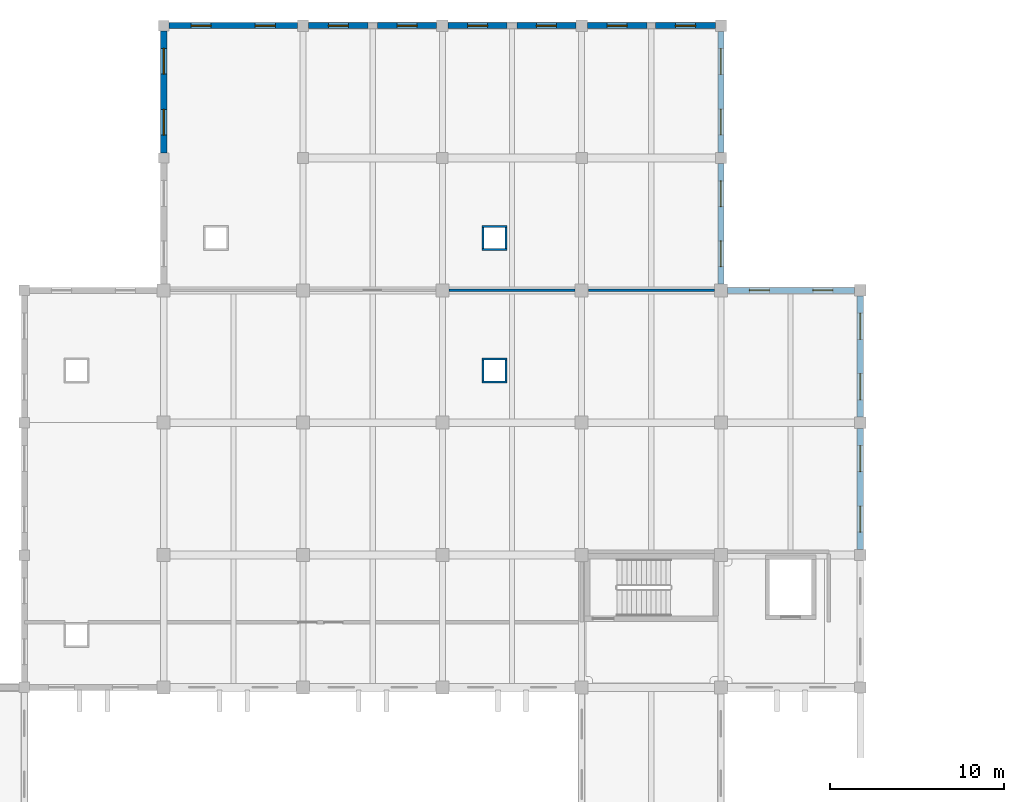
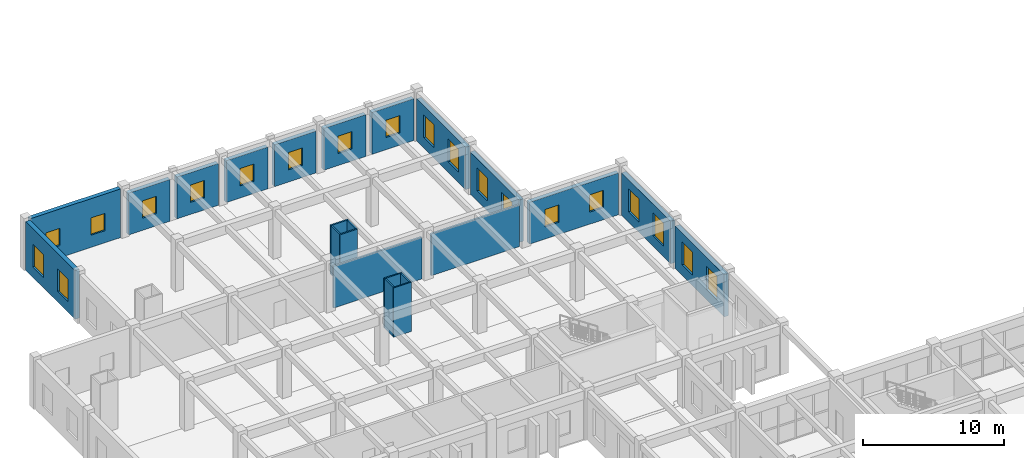
# One storey, part 59 of 79: 23 walls, 20 windows, 20 openings.
"""IFC4 building model written with IfcOpenShell, lengths in metres."""

from ifc_helpers import new_model, si_unit, direction, frame, frame_2d, origin, place, context, subcontext, project, spatial, rectangle, extrude, material, layer, layer_set, type_object, element, fill, save


model = new_model("IFC4")

# Units and contexts
model_context = context("Model", 3, precision=1e-05, world=origin(), true_north=direction((0.0, 1.0)))
body_context = subcontext(model_context, "Body", "Model", "MODEL_VIEW")
ifc_project = project(units=[si_unit("LENGTHUNIT", "METRE"), si_unit("AREAUNIT", "SQUARE_METRE"), si_unit("VOLUMEUNIT", "CUBIC_METRE"), si_unit("PLANEANGLEUNIT", "RADIAN"), si_unit("MASSUNIT", "GRAM", prefix="KILO")], contexts=[model_context])

# Site, building, storey
site_placement = place(None, origin())
site = spatial("IfcSite", under=ifc_project, at=site_placement, CompositionType="ELEMENT")
building_placement = place(site_placement, origin())
building = spatial("IfcBuilding", under=site, at=building_placement, Name="Zantavel Square City Hall", CompositionType="ELEMENT")
storey_placement = place(building_placement, frame((0.0, 0.0, 10.199951171875)))
storey = spatial("IfcBuildingStorey", under=building, at=storey_placement, Name="L03", CompositionType="ELEMENT", Elevation=10.199951171875)

# Wall, openings, windows
ifc_material_1 = material(Name="Cantera volcanic tuff stone", Category="masonry")
ifc_layer_1 = layer(ifc_material_1, 0.360107421875, Name="Cantera volcanic tuff stone")
ifc_layer_set_1 = layer_set([ifc_layer_1], Name="Cantera volcanic tuff stone")
wall_type_1 = type_object("IfcWallType", Name="Courtyard Cantera Facade Wall 360mm", PredefinedType="STANDARD", material=ifc_layer_set_1)
wall_1_placement = place(storey_placement, frame((24.0, 106.699951171875, 0.0), z_axis=(0.0, 0.0, 1.0), x_axis=(0.0, 1.0, 0.0)))
wall_1 = element("IfcWall", 1, at=wall_1_placement, inside=storey, type_object=wall_type_1, Name="L03 Exterior Wall EW-L03-007", PredefinedType="STANDARD", context=body_context, shape_type="SweptSolid", body=[
    extrude(rectangle(XDim=7.0, YDim=0.360107421875, at=frame_2d((3.5, 0.0))), origin(), (0.0, 0.0, 1.0), 4.219970703125),
])
opening_1_placement = place(wall_1_placement, frame((1.010009765625, 0.0, 0.89990234375)))
opening_1 = element("IfcOpeningElement", 2, at=opening_1_placement, cuts=wall_1, Name="Opening W-298", PredefinedType="OPENING", context=body_context, shape_type="SweptSolid", body=[
    extrude(rectangle(XDim=1.47998046875, YDim=1.97998046875, at=frame_2d((0.739990234375, 0.989990234375))), frame((0.0, 0.18994140625, 0.0), z_axis=(0.0, -1.0, 0.0), x_axis=(1.0, 0.0, 0.0)), (0.0, 0.0, 1.0), 0.380126953125),
])
opening_2_placement = place(wall_1_placement, frame((4.510009765625, 0.0, 0.89990234375)))
opening_2 = element("IfcOpeningElement", 3, at=opening_2_placement, cuts=wall_1, Name="Opening W-299", PredefinedType="OPENING", context=body_context, shape_type="SweptSolid", body=[
    extrude(rectangle(XDim=1.47998046875, YDim=1.97998046875, at=frame_2d((0.739990234375, 0.989990234375))), frame((0.0, 0.18994140625, 0.0), z_axis=(0.0, -1.0, 0.0), x_axis=(1.0, 0.0, 0.0)), (0.0, 0.0, 1.0), 0.380126953125),
])
ifc_material_2 = material(Name="Tempered safety glass low-E double glazing", Category="glass")
window_type_1 = type_object("IfcWindowType", Name="Window Cadastral Studio 1480x1980", PartitioningType="DOUBLE_PANEL_VERTICAL", PredefinedType="WINDOW", material=ifc_material_2)
window_1_placement = place(opening_1_placement, origin())
window_1 = element("IfcWindow", 4, at=window_1_placement, inside=storey, type_object=window_type_1, Name="L03 Window W-298", OverallHeight=1.97998046875, OverallWidth=1.47998046875, PartitioningType="DOUBLE_PANEL_VERTICAL", PredefinedType="WINDOW", context=body_context, shape_type="SweptSolid", body=[
    extrude(rectangle(XDim=1.47998046875, YDim=1.97998046875, at=frame_2d((0.739990234375, 0.989990234375))), frame((0.0, 0.030029296875, 0.0), z_axis=(0.0, -1.0, 0.0), x_axis=(1.0, 0.0, 0.0)), (0.0, 0.0, 1.0), 0.06005859375),
])
fill(opening_1, window_1)
window_2_placement = place(opening_2_placement, origin())
window_2 = element("IfcWindow", 5, at=window_2_placement, inside=storey, type_object=window_type_1, Name="L03 Window W-299", OverallHeight=1.97998046875, OverallWidth=1.47998046875, PartitioningType="DOUBLE_PANEL_VERTICAL", PredefinedType="WINDOW", context=body_context, shape_type="SweptSolid", body=[
    extrude(rectangle(XDim=1.47998046875, YDim=1.97998046875, at=frame_2d((0.739990234375, 0.989990234375))), frame((0.0, 0.030029296875, 0.0), z_axis=(0.0, -1.0, 0.0), x_axis=(1.0, 0.0, 0.0)), (0.0, 0.0, 1.0), 0.06005859375),
])
fill(opening_2, window_2)

wall_2_placement = place(storey_placement, frame((56.0, 113.675048828125, 0.0), z_axis=(0.0, 0.0, 1.0), x_axis=(0.0, -1.0, 0.0)))
wall_2 = element("IfcWall", 6, at=wall_2_placement, inside=storey, type_object=wall_type_1, Name="L03 Exterior Wall EW-L03-015", PredefinedType="STANDARD", context=body_context, shape_type="SweptSolid", body=[
    extrude(rectangle(XDim=6.949951171875, YDim=0.360107421875, at=frame_2d((3.47509765625, 0.0))), origin(), (0.0, 0.0, 1.0), 3.670166015625),
])
opening_3_placement = place(wall_2_placement, frame((0.99755859375, 0.0, 0.89990234375)))
opening_3 = element("IfcOpeningElement", 7, at=opening_3_placement, cuts=wall_2, Name="Opening W-308", PredefinedType="OPENING", context=body_context, shape_type="SweptSolid", body=[
    extrude(rectangle(XDim=1.47998046875, YDim=1.97998046875, at=frame_2d((0.739990234375, 0.989990234375))), frame((0.0, 0.18994140625, 0.0), z_axis=(0.0, -1.0, 0.0), x_axis=(1.0, 0.0, 0.0)), (0.0, 0.0, 1.0), 0.380126953125),
])
opening_4_placement = place(wall_2_placement, frame((4.472412109375, 0.0, 0.89990234375)))
opening_4 = element("IfcOpeningElement", 8, at=opening_4_placement, cuts=wall_2, Name="Opening W-309", PredefinedType="OPENING", context=body_context, shape_type="SweptSolid", body=[
    extrude(rectangle(XDim=1.47998046875, YDim=1.97998046875, at=frame_2d((0.739990234375, 0.989990234375))), frame((0.0, 0.18994140625, 0.0), z_axis=(0.0, -1.0, 0.0), x_axis=(1.0, 0.0, 0.0)), (0.0, 0.0, 1.0), 0.380126953125),
])
window_3_placement = place(opening_3_placement, origin())
window_3 = element("IfcWindow", 9, at=window_3_placement, inside=storey, type_object=window_type_1, Name="L03 Window W-308", OverallHeight=1.97998046875, OverallWidth=1.47998046875, PartitioningType="DOUBLE_PANEL_VERTICAL", PredefinedType="WINDOW", context=body_context, shape_type="SweptSolid", body=[
    extrude(rectangle(XDim=1.47998046875, YDim=1.97998046875, at=frame_2d((0.739990234375, 0.989990234375))), frame((0.0, 0.030029296875, 0.0), z_axis=(0.0, -1.0, 0.0), x_axis=(1.0, 0.0, 0.0)), (0.0, 0.0, 1.0), 0.06005859375),
])
fill(opening_3, window_3)
window_4_placement = place(opening_4_placement, origin())
window_4 = element("IfcWindow", 10, at=window_4_placement, inside=storey, type_object=window_type_1, Name="L03 Window W-309", OverallHeight=1.97998046875, OverallWidth=1.47998046875, PartitioningType="DOUBLE_PANEL_VERTICAL", PredefinedType="WINDOW", context=body_context, shape_type="SweptSolid", body=[
    extrude(rectangle(XDim=1.47998046875, YDim=1.97998046875, at=frame_2d((0.739990234375, 0.989990234375))), frame((0.0, 0.030029296875, 0.0), z_axis=(0.0, -1.0, 0.0), x_axis=(1.0, 0.0, 0.0)), (0.0, 0.0, 1.0), 0.06005859375),
])
fill(opening_4, window_4)

wall_3_placement = place(storey_placement, frame((56.0, 106.074951171875, 0.0), z_axis=(0.0, 0.0, 1.0), x_axis=(0.0, -1.0, 0.0)))
wall_3 = element("IfcWall", 11, at=wall_3_placement, inside=storey, type_object=wall_type_1, Name="L03 Exterior Wall EW-L03-016", PredefinedType="STANDARD", context=body_context, shape_type="SweptSolid", body=[
    extrude(rectangle(XDim=6.89990234375, YDim=0.360107421875, at=frame_2d((3.449951171875, 0.0))), origin(), (0.0, 0.0, 1.0), 3.670166015625),
])
opening_5_placement = place(wall_3_placement, frame((0.985107421875, 0.0, 0.89990234375)))
opening_5 = element("IfcOpeningElement", 12, at=opening_5_placement, cuts=wall_3, Name="Opening W-310", PredefinedType="OPENING", context=body_context, shape_type="SweptSolid", body=[
    extrude(rectangle(XDim=1.47998046875, YDim=1.97998046875, at=frame_2d((0.739990234375, 0.989990234375))), frame((0.0, 0.18994140625, 0.0), z_axis=(0.0, -1.0, 0.0), x_axis=(1.0, 0.0, 0.0)), (0.0, 0.0, 1.0), 0.380126953125),
])
opening_6_placement = place(wall_3_placement, frame((4.43505859375, 0.0, 0.89990234375)))
opening_6 = element("IfcOpeningElement", 13, at=opening_6_placement, cuts=wall_3, Name="Opening W-311", PredefinedType="OPENING", context=body_context, shape_type="SweptSolid", body=[
    extrude(rectangle(XDim=1.47998046875, YDim=1.97998046875, at=frame_2d((0.739990234375, 0.989990234375))), frame((0.0, 0.18994140625, 0.0), z_axis=(0.0, -1.0, 0.0), x_axis=(1.0, 0.0, 0.0)), (0.0, 0.0, 1.0), 0.380126953125),
])
window_5_placement = place(opening_5_placement, origin())
window_5 = element("IfcWindow", 14, at=window_5_placement, inside=storey, type_object=window_type_1, Name="L03 Window W-310", OverallHeight=1.97998046875, OverallWidth=1.47998046875, PartitioningType="DOUBLE_PANEL_VERTICAL", PredefinedType="WINDOW", context=body_context, shape_type="SweptSolid", body=[
    extrude(rectangle(XDim=1.47998046875, YDim=1.97998046875, at=frame_2d((0.739990234375, 0.989990234375))), frame((0.0, 0.030029296875, 0.0), z_axis=(0.0, -1.0, 0.0), x_axis=(1.0, 0.0, 0.0)), (0.0, 0.0, 1.0), 0.06005859375),
])
fill(opening_5, window_5)
window_6_placement = place(opening_6_placement, origin())
window_6 = element("IfcWindow", 15, at=window_6_placement, inside=storey, type_object=window_type_1, Name="L03 Window W-311", OverallHeight=1.97998046875, OverallWidth=1.47998046875, PartitioningType="DOUBLE_PANEL_VERTICAL", PredefinedType="WINDOW", context=body_context, shape_type="SweptSolid", body=[
    extrude(rectangle(XDim=1.47998046875, YDim=1.97998046875, at=frame_2d((0.739990234375, 0.989990234375))), frame((0.0, 0.030029296875, 0.0), z_axis=(0.0, -1.0, 0.0), x_axis=(1.0, 0.0, 0.0)), (0.0, 0.0, 1.0), 0.06005859375),
])
fill(opening_6, window_6)

wall_4_placement = place(storey_placement, frame((64.0, 98.47509765625, 0.0), z_axis=(0.0, 0.0, 1.0), x_axis=(0.0, -1.0, 0.0)))
wall_4 = element("IfcWall", 16, at=wall_4_placement, inside=storey, type_object=wall_type_1, Name="L03 Exterior Wall EW-L03-018", PredefinedType="STANDARD", context=body_context, shape_type="SweptSolid", body=[
    extrude(rectangle(XDim=6.9501953125, YDim=0.360107421875, at=frame_2d((3.47509765625, 0.0))), origin(), (0.0, 0.0, 1.0), 3.670166015625),
])
opening_7_placement = place(wall_4_placement, frame((0.987548828125, 0.0, 0.89990234375)))
opening_7 = element("IfcOpeningElement", 17, at=opening_7_placement, cuts=wall_4, Name="Opening W-314", PredefinedType="OPENING", context=body_context, shape_type="SweptSolid", body=[
    extrude(rectangle(XDim=1.5, YDim=2.0, at=frame_2d((0.75, 1.0))), frame((0.0, 0.18994140625, 0.0), z_axis=(0.0, -1.0, 0.0), x_axis=(1.0, 0.0, 0.0)), (0.0, 0.0, 1.0), 0.380126953125),
])
opening_8_placement = place(wall_4_placement, frame((4.46240234375, 0.0, 0.89990234375)))
opening_8 = element("IfcOpeningElement", 18, at=opening_8_placement, cuts=wall_4, Name="Opening W-315", PredefinedType="OPENING", context=body_context, shape_type="SweptSolid", body=[
    extrude(rectangle(XDim=1.5, YDim=2.0, at=frame_2d((0.75, 1.0))), frame((0.0, 0.18994140625, 0.0), z_axis=(0.0, -1.0, 0.0), x_axis=(1.0, 0.0, 0.0)), (0.0, 0.0, 1.0), 0.380126953125),
])
window_type_2 = type_object("IfcWindowType", Name="Window Planning Studio 1500x2000", PartitioningType="DOUBLE_PANEL_VERTICAL", PredefinedType="WINDOW", material=ifc_material_2)
window_7_placement = place(opening_7_placement, origin())
window_7 = element("IfcWindow", 19, at=window_7_placement, inside=storey, type_object=window_type_2, Name="L03 Window W-314", OverallHeight=2.0, OverallWidth=1.5, PartitioningType="DOUBLE_PANEL_VERTICAL", PredefinedType="WINDOW", context=body_context, shape_type="SweptSolid", body=[
    extrude(rectangle(XDim=1.5, YDim=2.0, at=frame_2d((0.75, 1.0))), frame((0.0, 0.030029296875, 0.0), z_axis=(0.0, -1.0, 0.0), x_axis=(1.0, 0.0, 0.0)), (0.0, 0.0, 1.0), 0.06005859375),
])
fill(opening_7, window_7)
window_8_placement = place(opening_8_placement, origin())
window_8 = element("IfcWindow", 20, at=window_8_placement, inside=storey, type_object=window_type_2, Name="L03 Window W-315", OverallHeight=2.0, OverallWidth=1.5, PartitioningType="DOUBLE_PANEL_VERTICAL", PredefinedType="WINDOW", context=body_context, shape_type="SweptSolid", body=[
    extrude(rectangle(XDim=1.5, YDim=2.0, at=frame_2d((0.75, 1.0))), frame((0.0, 0.030029296875, 0.0), z_axis=(0.0, -1.0, 0.0), x_axis=(1.0, 0.0, 0.0)), (0.0, 0.0, 1.0), 0.06005859375),
])
fill(opening_8, window_8)

wall_5_placement = place(storey_placement, frame((64.0, 90.875, 0.0), z_axis=(0.0, 0.0, 1.0), x_axis=(0.0, -1.0, 0.0)))
wall_5 = element("IfcWall", 21, at=wall_5_placement, inside=storey, type_object=wall_type_1, Name="L03 Exterior Wall EW-L03-019", PredefinedType="STANDARD", context=body_context, shape_type="SweptSolid", body=[
    extrude(rectangle(XDim=6.949951171875, YDim=0.360107421875, at=frame_2d((3.47509765625, 0.0))), origin(), (0.0, 0.0, 1.0), 3.670166015625),
])
opening_9_placement = place(wall_5_placement, frame((0.987548828125, 0.0, 0.89990234375)))
opening_9 = element("IfcOpeningElement", 22, at=opening_9_placement, cuts=wall_5, Name="Opening W-316", PredefinedType="OPENING", context=body_context, shape_type="SweptSolid", body=[
    extrude(rectangle(XDim=1.5, YDim=2.0, at=frame_2d((0.75, 1.0))), frame((0.0, 0.18994140625, 0.0), z_axis=(0.0, -1.0, 0.0), x_axis=(1.0, 0.0, 0.0)), (0.0, 0.0, 1.0), 0.380126953125),
])
opening_10_placement = place(wall_5_placement, frame((4.46240234375, 0.0, 0.89990234375)))
opening_10 = element("IfcOpeningElement", 23, at=opening_10_placement, cuts=wall_5, Name="Opening W-317", PredefinedType="OPENING", context=body_context, shape_type="SweptSolid", body=[
    extrude(rectangle(XDim=1.5, YDim=2.0, at=frame_2d((0.75, 1.0))), frame((0.0, 0.18994140625, 0.0), z_axis=(0.0, -1.0, 0.0), x_axis=(1.0, 0.0, 0.0)), (0.0, 0.0, 1.0), 0.380126953125),
])
window_9_placement = place(opening_9_placement, origin())
window_9 = element("IfcWindow", 24, at=window_9_placement, inside=storey, type_object=window_type_2, Name="L03 Window W-316", OverallHeight=2.0, OverallWidth=1.5, PartitioningType="DOUBLE_PANEL_VERTICAL", PredefinedType="WINDOW", context=body_context, shape_type="SweptSolid", body=[
    extrude(rectangle(XDim=1.5, YDim=2.0, at=frame_2d((0.75, 1.0))), frame((0.0, 0.030029296875, 0.0), z_axis=(0.0, -1.0, 0.0), x_axis=(1.0, 0.0, 0.0)), (0.0, 0.0, 1.0), 0.06005859375),
])
fill(opening_9, window_9)
window_10_placement = place(opening_10_placement, origin())
window_10 = element("IfcWindow", 25, at=window_10_placement, inside=storey, type_object=window_type_2, Name="L03 Window W-317", OverallHeight=2.0, OverallWidth=1.5, PartitioningType="DOUBLE_PANEL_VERTICAL", PredefinedType="WINDOW", context=body_context, shape_type="SweptSolid", body=[
    extrude(rectangle(XDim=1.5, YDim=2.0, at=frame_2d((0.75, 1.0))), frame((0.0, 0.030029296875, 0.0), z_axis=(0.0, -1.0, 0.0), x_axis=(1.0, 0.0, 0.0)), (0.0, 0.0, 1.0), 0.06005859375),
])
fill(opening_10, window_10)

# Walls
ifc_material_3 = material(Name="Gypsum acoustic stud assembly", Category="masonry")
ifc_layer_2 = layer(ifc_material_3, 0.14990234375, Name="Gypsum acoustic stud assembly")
ifc_layer_set_2 = layer_set([ifc_layer_2], Name="Gypsum acoustic stud assembly")
wall_type_2 = type_object("IfcWallType", Name="Department Office Partition 150mm", PredefinedType="PARTITIONING", material=ifc_layer_set_2)
for number, where, z_axis, x_axis, name in (
    (26, (40.385009765625, 98.800048828125, 0.0), (0.0, 0.0, 1.0), (1.0, 0.0, 0.0), "L03 Interior Wall IW-L03-0286"),
    (27, (48.385009765625, 98.800048828125, 0.0), (0.0, 0.0, 1.0), (1.0, 0.0, 0.0), "L03 Interior Wall IW-L03-0287"),
):
    element("IfcWall", number, at=place(storey_placement, frame(where, z_axis=z_axis, x_axis=x_axis)), inside=storey, type_object=wall_type_2, Name=name, PredefinedType="PARTITIONING", context=body_context, shape_type="SweptSolid", body=[
        extrude(rectangle(XDim=7.22998046875, YDim=0.14990234375, at=frame_2d((3.614990234375, 0.0))), origin(), (0.0, 0.0, 1.0), 3.6201171875),
    ])

# Wall, openings, windows
ifc_layer_3 = layer(ifc_material_1, 0.340087890625, Name="Cantera volcanic tuff stone")
ifc_layer_set_3 = layer_set([ifc_layer_3], Name="Cantera volcanic tuff stone")
wall_type_3 = type_object("IfcWallType", Name="North Insulated Cantera Wall 340mm", PredefinedType="STANDARD", material=ifc_layer_set_3)
wall_6_placement = place(storey_placement, frame((24.300048828125, 114.0, 0.0), z_axis=(0.0, 0.0, 1.0), x_axis=(1.0, 0.0, 0.0)))
wall_6 = element("IfcWall", 28, at=wall_6_placement, inside=storey, type_object=wall_type_3, Name="L03 Exterior Wall EW-L03-008", PredefinedType="STANDARD", context=body_context, shape_type="SweptSolid", body=[
    extrude(rectangle(XDim=7.375, YDim=0.340087890625, at=frame_2d((3.6875, 0.0))), origin(), (0.0, 0.0, 1.0), 4.219970703125),
])
opening_11_placement = place(wall_6_placement, frame((1.268798828125, 0.0, 1.050048828125)))
opening_11 = element("IfcOpeningElement", 29, at=opening_11_placement, cuts=wall_6, Name="Opening W-300", PredefinedType="OPENING", context=body_context, shape_type="SweptSolid", body=[
    extrude(rectangle(XDim=1.14990234375, YDim=1.5, at=frame_2d((0.574951171875, 0.75))), frame((0.0, 0.179931640625, 0.0), z_axis=(0.0, -1.0, 0.0), x_axis=(1.0, 0.0, 0.0)), (0.0, 0.0, 1.0), 0.360107421875),
])
opening_12_placement = place(wall_6_placement, frame((4.956298828125, 0.0, 1.050048828125)))
opening_12 = element("IfcOpeningElement", 30, at=opening_12_placement, cuts=wall_6, Name="Opening W-301", PredefinedType="OPENING", context=body_context, shape_type="SweptSolid", body=[
    extrude(rectangle(XDim=1.14990234375, YDim=1.5, at=frame_2d((0.574951171875, 0.75))), frame((0.0, 0.179931640625, 0.0), z_axis=(0.0, -1.0, 0.0), x_axis=(1.0, 0.0, 0.0)), (0.0, 0.0, 1.0), 0.360107421875),
])
window_type_3 = type_object("IfcWindowType", Name="Window Piano Nobile North 1150x1500", PartitioningType="SINGLE_PANEL", PredefinedType="WINDOW", material=ifc_material_2)
window_11_placement = place(opening_11_placement, origin())
window_11 = element("IfcWindow", 31, at=window_11_placement, inside=storey, type_object=window_type_3, Name="L03 Window W-300", OverallHeight=1.5, OverallWidth=1.14990234375, PartitioningType="SINGLE_PANEL", PredefinedType="WINDOW", context=body_context, shape_type="SweptSolid", body=[
    extrude(rectangle(XDim=1.14990234375, YDim=1.5, at=frame_2d((0.574951171875, 0.75))), frame((0.0, 0.030029296875, 0.0), z_axis=(0.0, -1.0, 0.0), x_axis=(1.0, 0.0, 0.0)), (0.0, 0.0, 1.0), 0.06005859375),
])
fill(opening_11, window_11)
window_12_placement = place(opening_12_placement, origin())
window_12 = element("IfcWindow", 32, at=window_12_placement, inside=storey, type_object=window_type_3, Name="L03 Window W-301", OverallHeight=1.5, OverallWidth=1.14990234375, PartitioningType="SINGLE_PANEL", PredefinedType="WINDOW", context=body_context, shape_type="SweptSolid", body=[
    extrude(rectangle(XDim=1.14990234375, YDim=1.5, at=frame_2d((0.574951171875, 0.75))), frame((0.0, 0.030029296875, 0.0), z_axis=(0.0, -1.0, 0.0), x_axis=(1.0, 0.0, 0.0)), (0.0, 0.0, 1.0), 0.06005859375),
])
fill(opening_12, window_12)

# Wall, opening, window
wall_7_placement = place(storey_placement, frame((32.324951171875, 114.0, 0.0), z_axis=(0.0, 0.0, 1.0), x_axis=(1.0, 0.0, 0.0)))
wall_7 = element("IfcWall", 33, at=wall_7_placement, inside=storey, type_object=wall_type_3, Name="L03 Exterior Wall EW-L03-009", PredefinedType="STANDARD", context=body_context, shape_type="SweptSolid", body=[
    extrude(rectangle(XDim=3.400146484375, YDim=0.340087890625, at=frame_2d((1.7001953125, 0.0))), origin(), (0.0, 0.0, 1.0), 3.6201171875),
])
opening_13_placement = place(wall_7_placement, frame((1.125, 0.0, 1.050048828125)))
opening_13 = element("IfcOpeningElement", 34, at=opening_13_placement, cuts=wall_7, Name="Opening W-302", PredefinedType="OPENING", context=body_context, shape_type="SweptSolid", body=[
    extrude(rectangle(XDim=1.14990234375, YDim=1.5, at=frame_2d((0.574951171875, 0.75))), frame((0.0, 0.179931640625, 0.0), z_axis=(0.0, -1.0, 0.0), x_axis=(1.0, 0.0, 0.0)), (0.0, 0.0, 1.0), 0.360107421875),
])
window_13_placement = place(opening_13_placement, origin())
window_13 = element("IfcWindow", 35, at=window_13_placement, inside=storey, type_object=window_type_3, Name="L03 Window W-302", OverallHeight=1.5, OverallWidth=1.14990234375, PartitioningType="SINGLE_PANEL", PredefinedType="WINDOW", context=body_context, shape_type="SweptSolid", body=[
    extrude(rectangle(XDim=1.14990234375, YDim=1.5, at=frame_2d((0.574951171875, 0.75))), frame((0.0, 0.030029296875, 0.0), z_axis=(0.0, -1.0, 0.0), x_axis=(1.0, 0.0, 0.0)), (0.0, 0.0, 1.0), 0.06005859375),
])
fill(opening_13, window_13)

wall_8_placement = place(storey_placement, frame((36.27490234375, 114.0, 0.0), z_axis=(0.0, 0.0, 1.0), x_axis=(1.0, 0.0, 0.0)))
wall_8 = element("IfcWall", 36, at=wall_8_placement, inside=storey, type_object=wall_type_3, Name="L03 Exterior Wall EW-L03-010", PredefinedType="STANDARD", context=body_context, shape_type="SweptSolid", body=[
    extrude(rectangle(XDim=3.400146484375, YDim=0.340087890625, at=frame_2d((1.7001953125, 0.0))), origin(), (0.0, 0.0, 1.0), 3.6201171875),
])
opening_14_placement = place(wall_8_placement, frame((1.125, 0.0, 1.050048828125)))
opening_14 = element("IfcOpeningElement", 37, at=opening_14_placement, cuts=wall_8, Name="Opening W-303", PredefinedType="OPENING", context=body_context, shape_type="SweptSolid", body=[
    extrude(rectangle(XDim=1.14990234375, YDim=1.5, at=frame_2d((0.574951171875, 0.75))), frame((0.0, 0.179931640625, 0.0), z_axis=(0.0, -1.0, 0.0), x_axis=(1.0, 0.0, 0.0)), (0.0, 0.0, 1.0), 0.360107421875),
])
window_14_placement = place(opening_14_placement, origin())
window_14 = element("IfcWindow", 38, at=window_14_placement, inside=storey, type_object=window_type_3, Name="L03 Window W-303", OverallHeight=1.5, OverallWidth=1.14990234375, PartitioningType="SINGLE_PANEL", PredefinedType="WINDOW", context=body_context, shape_type="SweptSolid", body=[
    extrude(rectangle(XDim=1.14990234375, YDim=1.5, at=frame_2d((0.574951171875, 0.75))), frame((0.0, 0.030029296875, 0.0), z_axis=(0.0, -1.0, 0.0), x_axis=(1.0, 0.0, 0.0)), (0.0, 0.0, 1.0), 0.06005859375),
])
fill(opening_14, window_14)

wall_9_placement = place(storey_placement, frame((40.324951171875, 114.0, 0.0), z_axis=(0.0, 0.0, 1.0), x_axis=(1.0, 0.0, 0.0)))
wall_9 = element("IfcWall", 39, at=wall_9_placement, inside=storey, type_object=wall_type_3, Name="L03 Exterior Wall EW-L03-011", PredefinedType="STANDARD", context=body_context, shape_type="SweptSolid", body=[
    extrude(rectangle(XDim=3.400146484375, YDim=0.340087890625, at=frame_2d((1.7001953125, 0.0))), origin(), (0.0, 0.0, 1.0), 3.6201171875),
])
opening_15_placement = place(wall_9_placement, frame((1.125, 0.0, 1.050048828125)))
opening_15 = element("IfcOpeningElement", 40, at=opening_15_placement, cuts=wall_9, Name="Opening W-304", PredefinedType="OPENING", context=body_context, shape_type="SweptSolid", body=[
    extrude(rectangle(XDim=1.14990234375, YDim=1.5, at=frame_2d((0.574951171875, 0.75))), frame((0.0, 0.179931640625, 0.0), z_axis=(0.0, -1.0, 0.0), x_axis=(1.0, 0.0, 0.0)), (0.0, 0.0, 1.0), 0.360107421875),
])
window_15_placement = place(opening_15_placement, origin())
window_15 = element("IfcWindow", 41, at=window_15_placement, inside=storey, type_object=window_type_3, Name="L03 Window W-304", OverallHeight=1.5, OverallWidth=1.14990234375, PartitioningType="SINGLE_PANEL", PredefinedType="WINDOW", context=body_context, shape_type="SweptSolid", body=[
    extrude(rectangle(XDim=1.14990234375, YDim=1.5, at=frame_2d((0.574951171875, 0.75))), frame((0.0, 0.030029296875, 0.0), z_axis=(0.0, -1.0, 0.0), x_axis=(1.0, 0.0, 0.0)), (0.0, 0.0, 1.0), 0.06005859375),
])
fill(opening_15, window_15)

wall_10_placement = place(storey_placement, frame((44.27490234375, 114.0, 0.0), z_axis=(0.0, 0.0, 1.0), x_axis=(1.0, 0.0, 0.0)))
wall_10 = element("IfcWall", 42, at=wall_10_placement, inside=storey, type_object=wall_type_3, Name="L03 Exterior Wall EW-L03-012", PredefinedType="STANDARD", context=body_context, shape_type="SweptSolid", body=[
    extrude(rectangle(XDim=3.400146484375, YDim=0.340087890625, at=frame_2d((1.7001953125, 0.0))), origin(), (0.0, 0.0, 1.0), 3.6201171875),
])
opening_16_placement = place(wall_10_placement, frame((1.125, 0.0, 1.050048828125)))
opening_16 = element("IfcOpeningElement", 43, at=opening_16_placement, cuts=wall_10, Name="Opening W-305", PredefinedType="OPENING", context=body_context, shape_type="SweptSolid", body=[
    extrude(rectangle(XDim=1.14990234375, YDim=1.5, at=frame_2d((0.574951171875, 0.75))), frame((0.0, 0.179931640625, 0.0), z_axis=(0.0, -1.0, 0.0), x_axis=(1.0, 0.0, 0.0)), (0.0, 0.0, 1.0), 0.360107421875),
])
window_16_placement = place(opening_16_placement, origin())
window_16 = element("IfcWindow", 44, at=window_16_placement, inside=storey, type_object=window_type_3, Name="L03 Window W-305", OverallHeight=1.5, OverallWidth=1.14990234375, PartitioningType="SINGLE_PANEL", PredefinedType="WINDOW", context=body_context, shape_type="SweptSolid", body=[
    extrude(rectangle(XDim=1.14990234375, YDim=1.5, at=frame_2d((0.574951171875, 0.75))), frame((0.0, 0.030029296875, 0.0), z_axis=(0.0, -1.0, 0.0), x_axis=(1.0, 0.0, 0.0)), (0.0, 0.0, 1.0), 0.06005859375),
])
fill(opening_16, window_16)

wall_11_placement = place(storey_placement, frame((48.324951171875, 114.0, 0.0), z_axis=(0.0, 0.0, 1.0), x_axis=(1.0, 0.0, 0.0)))
wall_11 = element("IfcWall", 45, at=wall_11_placement, inside=storey, type_object=wall_type_3, Name="L03 Exterior Wall EW-L03-013", PredefinedType="STANDARD", context=body_context, shape_type="SweptSolid", body=[
    extrude(rectangle(XDim=3.425048828125, YDim=0.340087890625, at=frame_2d((1.71240234375, 0.0))), origin(), (0.0, 0.0, 1.0), 3.6201171875),
])
opening_17_placement = place(wall_11_placement, frame((1.137451171875, 0.0, 1.050048828125)))
opening_17 = element("IfcOpeningElement", 46, at=opening_17_placement, cuts=wall_11, Name="Opening W-306", PredefinedType="OPENING", context=body_context, shape_type="SweptSolid", body=[
    extrude(rectangle(XDim=1.14990234375, YDim=1.5, at=frame_2d((0.574951171875, 0.75))), frame((0.0, 0.179931640625, 0.0), z_axis=(0.0, -1.0, 0.0), x_axis=(1.0, 0.0, 0.0)), (0.0, 0.0, 1.0), 0.360107421875),
])
window_17_placement = place(opening_17_placement, origin())
window_17 = element("IfcWindow", 47, at=window_17_placement, inside=storey, type_object=window_type_3, Name="L03 Window W-306", OverallHeight=1.5, OverallWidth=1.14990234375, PartitioningType="SINGLE_PANEL", PredefinedType="WINDOW", context=body_context, shape_type="SweptSolid", body=[
    extrude(rectangle(XDim=1.14990234375, YDim=1.5, at=frame_2d((0.574951171875, 0.75))), frame((0.0, 0.030029296875, 0.0), z_axis=(0.0, -1.0, 0.0), x_axis=(1.0, 0.0, 0.0)), (0.0, 0.0, 1.0), 0.06005859375),
])
fill(opening_17, window_17)

wall_12_placement = place(storey_placement, frame((52.25, 114.0, 0.0), z_axis=(0.0, 0.0, 1.0), x_axis=(1.0, 0.0, 0.0)))
wall_12 = element("IfcWall", 48, at=wall_12_placement, inside=storey, type_object=wall_type_3, Name="L03 Exterior Wall EW-L03-014", PredefinedType="STANDARD", context=body_context, shape_type="SweptSolid", body=[
    extrude(rectangle(XDim=3.425048828125, YDim=0.340087890625, at=frame_2d((1.71240234375, 0.0))), origin(), (0.0, 0.0, 1.0), 3.6201171875),
])
opening_18_placement = place(wall_12_placement, frame((1.137451171875, 0.0, 1.050048828125)))
opening_18 = element("IfcOpeningElement", 49, at=opening_18_placement, cuts=wall_12, Name="Opening W-307", PredefinedType="OPENING", context=body_context, shape_type="SweptSolid", body=[
    extrude(rectangle(XDim=1.14990234375, YDim=1.5, at=frame_2d((0.574951171875, 0.75))), frame((0.0, 0.179931640625, 0.0), z_axis=(0.0, -1.0, 0.0), x_axis=(1.0, 0.0, 0.0)), (0.0, 0.0, 1.0), 0.360107421875),
])
window_18_placement = place(opening_18_placement, origin())
window_18 = element("IfcWindow", 50, at=window_18_placement, inside=storey, type_object=window_type_3, Name="L03 Window W-307", OverallHeight=1.5, OverallWidth=1.14990234375, PartitioningType="SINGLE_PANEL", PredefinedType="WINDOW", context=body_context, shape_type="SweptSolid", body=[
    extrude(rectangle(XDim=1.14990234375, YDim=1.5, at=frame_2d((0.574951171875, 0.75))), frame((0.0, 0.030029296875, 0.0), z_axis=(0.0, -1.0, 0.0), x_axis=(1.0, 0.0, 0.0)), (0.0, 0.0, 1.0), 0.06005859375),
])
fill(opening_18, window_18)

# Wall, openings, windows
wall_13_placement = place(storey_placement, frame((56.375, 98.800048828125, 0.0), z_axis=(0.0, 0.0, 1.0), x_axis=(1.0, 0.0, 0.0)))
wall_13 = element("IfcWall", 51, at=wall_13_placement, inside=storey, type_object=wall_type_3, Name="L03 Exterior Wall EW-L03-017", PredefinedType="STANDARD", context=body_context, shape_type="SweptSolid", body=[
    extrude(rectangle(XDim=7.300048828125, YDim=0.340087890625, at=frame_2d((3.64990234375, 0.0))), origin(), (0.0, 0.0, 1.0), 3.6201171875),
])
opening_19_placement = place(wall_13_placement, frame((1.25, 0.0, 1.050048828125)))
opening_19 = element("IfcOpeningElement", 52, at=opening_19_placement, cuts=wall_13, Name="Opening W-312", PredefinedType="OPENING", context=body_context, shape_type="SweptSolid", body=[
    extrude(rectangle(XDim=1.14990234375, YDim=1.5, at=frame_2d((0.574951171875, 0.75))), frame((0.0, 0.179931640625, 0.0), z_axis=(0.0, -1.0, 0.0), x_axis=(1.0, 0.0, 0.0)), (0.0, 0.0, 1.0), 0.360107421875),
])
opening_20_placement = place(wall_13_placement, frame((4.89990234375, 0.0, 1.050048828125)))
opening_20 = element("IfcOpeningElement", 53, at=opening_20_placement, cuts=wall_13, Name="Opening W-313", PredefinedType="OPENING", context=body_context, shape_type="SweptSolid", body=[
    extrude(rectangle(XDim=1.14990234375, YDim=1.5, at=frame_2d((0.574951171875, 0.75))), frame((0.0, 0.179931640625, 0.0), z_axis=(0.0, -1.0, 0.0), x_axis=(1.0, 0.0, 0.0)), (0.0, 0.0, 1.0), 0.360107421875),
])
window_19_placement = place(opening_19_placement, origin())
window_19 = element("IfcWindow", 54, at=window_19_placement, inside=storey, type_object=window_type_3, Name="L03 Window W-312", OverallHeight=1.5, OverallWidth=1.14990234375, PartitioningType="SINGLE_PANEL", PredefinedType="WINDOW", context=body_context, shape_type="SweptSolid", body=[
    extrude(rectangle(XDim=1.14990234375, YDim=1.5, at=frame_2d((0.574951171875, 0.75))), frame((0.0, 0.030029296875, 0.0), z_axis=(0.0, -1.0, 0.0), x_axis=(1.0, 0.0, 0.0)), (0.0, 0.0, 1.0), 0.06005859375),
])
fill(opening_19, window_19)
window_20_placement = place(opening_20_placement, origin())
window_20 = element("IfcWindow", 55, at=window_20_placement, inside=storey, type_object=window_type_3, Name="L03 Window W-313", OverallHeight=1.5, OverallWidth=1.14990234375, PartitioningType="SINGLE_PANEL", PredefinedType="WINDOW", context=body_context, shape_type="SweptSolid", body=[
    extrude(rectangle(XDim=1.14990234375, YDim=1.5, at=frame_2d((0.574951171875, 0.75))), frame((0.0, 0.030029296875, 0.0), z_axis=(0.0, -1.0, 0.0), x_axis=(1.0, 0.0, 0.0)), (0.0, 0.0, 1.0), 0.06005859375),
])
fill(opening_20, window_20)

# Walls
ifc_material_4 = material(Name="Concrete C35/45", Category="concrete")
ifc_layer_4 = layer(ifc_material_4, 0.1201171875, Name="Concrete C35/45")
ifc_layer_set_4 = layer_set([ifc_layer_4], Name="Concrete C35/45")
wall_type_4 = type_object("IfcWallType", Name="Riser Chase Wall RC 120mm C35/45", PredefinedType="PARTITIONING", material=ifc_layer_set_4)
wall_14_placement = place(storey_placement, frame((43.719970703125, 93.5400390625, 0.0), z_axis=(0.0, 0.0, 1.0), x_axis=(-1.0, 0.0, 0.0)))
element("IfcWall", 56, at=wall_14_placement, inside=storey, type_object=wall_type_4, Name="L03 MEP Riser 18 Wall S", PredefinedType="PARTITIONING", context=body_context, shape_type="SweptSolid", body=[
    extrude(rectangle(XDim=1.43994140625, YDim=0.1201171875, at=frame_2d((0.719970703125, 0.0))), origin(), (0.0, 0.0, 1.0), 4.260009765625),
])
wall_15_placement = place(storey_placement, frame((42.340087890625, 93.60009765625, 0.0), z_axis=(0.0, 0.0, 1.0), x_axis=(0.0, 1.0, 0.0)))
element("IfcWall", 57, at=wall_15_placement, inside=storey, type_object=wall_type_4, Name="L03 MEP Riser 18 Wall W", PredefinedType="PARTITIONING", context=body_context, shape_type="SweptSolid", body=[
    extrude(rectangle(XDim=1.199951171875, YDim=0.1201171875, at=frame_2d((0.60009765625, 0.0))), origin(), (0.0, 0.0, 1.0), 4.260009765625),
])
wall_16_placement = place(storey_placement, frame((42.280029296875, 94.860107421875, 0.0), z_axis=(0.0, 0.0, 1.0), x_axis=(1.0, 0.0, 0.0)))
element("IfcWall", 58, at=wall_16_placement, inside=storey, type_object=wall_type_4, Name="L03 MEP Riser 18 Wall N", PredefinedType="PARTITIONING", context=body_context, shape_type="SweptSolid", body=[
    extrude(rectangle(XDim=1.43994140625, YDim=0.1201171875, at=frame_2d((0.719970703125, 0.0))), origin(), (0.0, 0.0, 1.0), 4.260009765625),
])
wall_17_placement = place(storey_placement, frame((43.659912109375, 94.800048828125, 0.0), z_axis=(0.0, 0.0, 1.0), x_axis=(0.0, -1.0, 0.0)))
element("IfcWall", 59, at=wall_17_placement, inside=storey, type_object=wall_type_4, Name="L03 MEP Riser 18 Wall E", PredefinedType="PARTITIONING", context=body_context, shape_type="SweptSolid", body=[
    extrude(rectangle(XDim=1.199951171875, YDim=0.1201171875, at=frame_2d((0.60009765625, 0.0))), origin(), (0.0, 0.0, 1.0), 4.260009765625),
])
wall_18_placement = place(storey_placement, frame((43.719970703125, 101.139892578125, 0.0), z_axis=(0.0, 0.0, 1.0), x_axis=(-1.0, 0.0, 0.0)))
element("IfcWall", 60, at=wall_18_placement, inside=storey, type_object=wall_type_4, Name="L03 MEP Riser 20 Wall S", PredefinedType="PARTITIONING", context=body_context, shape_type="SweptSolid", body=[
    extrude(rectangle(XDim=1.43994140625, YDim=0.1201171875, at=frame_2d((0.719970703125, 0.0))), origin(), (0.0, 0.0, 1.0), 4.260009765625),
])
wall_19_placement = place(storey_placement, frame((42.340087890625, 101.199951171875, 0.0), z_axis=(0.0, 0.0, 1.0), x_axis=(0.0, 1.0, 0.0)))
element("IfcWall", 61, at=wall_19_placement, inside=storey, type_object=wall_type_4, Name="L03 MEP Riser 20 Wall W", PredefinedType="PARTITIONING", context=body_context, shape_type="SweptSolid", body=[
    extrude(rectangle(XDim=1.199951171875, YDim=0.1201171875, at=frame_2d((0.60009765625, 0.0))), origin(), (0.0, 0.0, 1.0), 4.260009765625),
])
wall_20_placement = place(storey_placement, frame((42.280029296875, 102.4599609375, 0.0), z_axis=(0.0, 0.0, 1.0), x_axis=(1.0, 0.0, 0.0)))
element("IfcWall", 62, at=wall_20_placement, inside=storey, type_object=wall_type_4, Name="L03 MEP Riser 20 Wall N", PredefinedType="PARTITIONING", context=body_context, shape_type="SweptSolid", body=[
    extrude(rectangle(XDim=1.43994140625, YDim=0.1201171875, at=frame_2d((0.719970703125, 0.0))), origin(), (0.0, 0.0, 1.0), 4.260009765625),
])
wall_21_placement = place(storey_placement, frame((43.659912109375, 102.39990234375, 0.0), z_axis=(0.0, 0.0, 1.0), x_axis=(0.0, -1.0, 0.0)))
element("IfcWall", 63, at=wall_21_placement, inside=storey, type_object=wall_type_4, Name="L03 MEP Riser 20 Wall E", PredefinedType="PARTITIONING", context=body_context, shape_type="SweptSolid", body=[
    extrude(rectangle(XDim=1.199951171875, YDim=0.1201171875, at=frame_2d((0.60009765625, 0.0))), origin(), (0.0, 0.0, 1.0), 4.260009765625),
])

save(model, "model.ifc")
